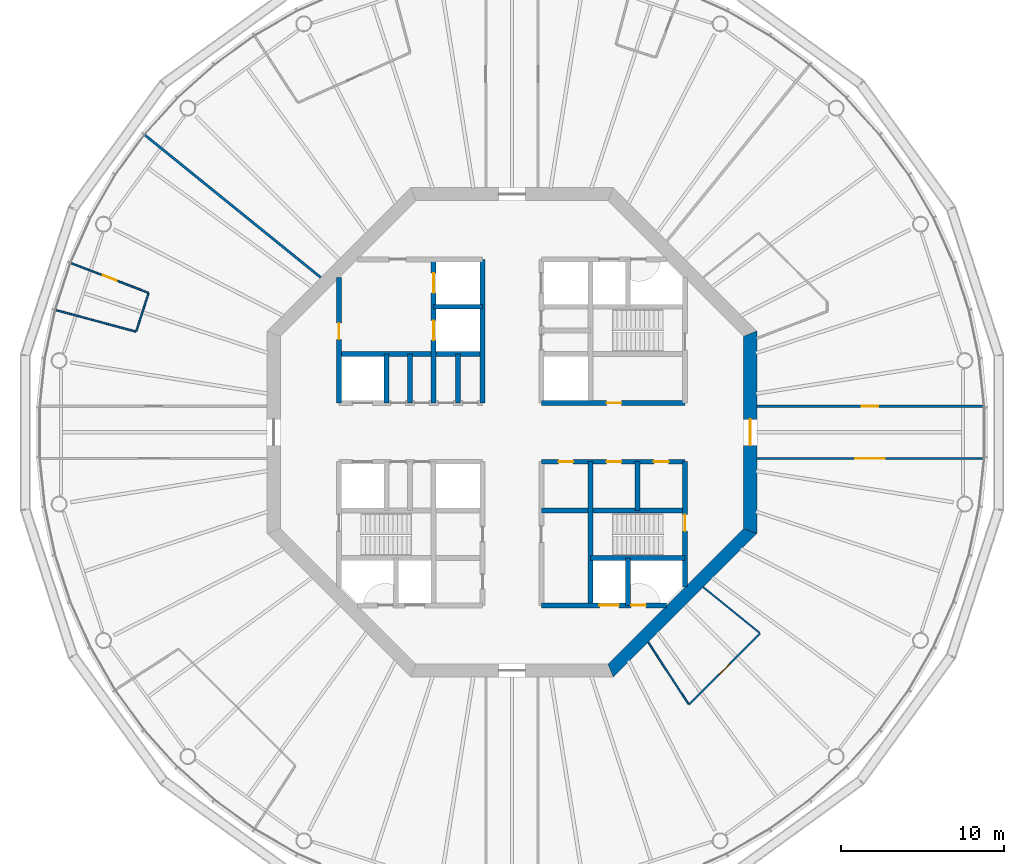
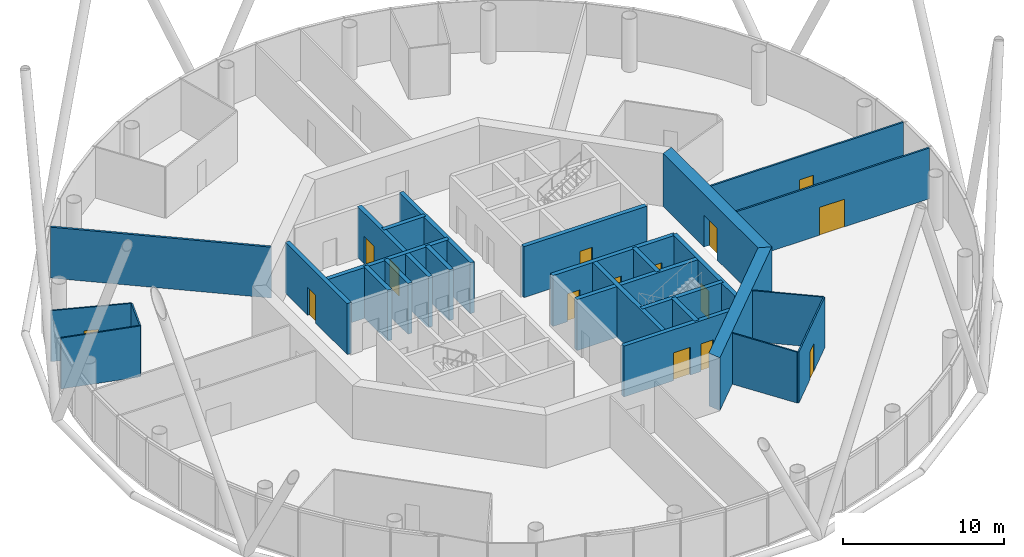
# One storey, part 4 of 13: 28 walls, 15 doors, 15 openings.
"""IFC4 building model written with IfcOpenShell, lengths in metres."""

from ifc_helpers import new_model, si_unit, direction, frame, frame_2d, origin, place, context, subcontext, project, spatial, polyline, rectangle, outline, extrude, material, layer, layer_set, type_object, element, fill, save


model = new_model("IFC4")

# Units and contexts
model_context = context("Model", 3, precision=1e-05, world=origin(), true_north=direction((0.0, 1.0)))
body_context = subcontext(model_context, "Body", "Model", "MODEL_VIEW")
ifc_project = project(units=[si_unit("LENGTHUNIT", "METRE"), si_unit("AREAUNIT", "SQUARE_METRE"), si_unit("VOLUMEUNIT", "CUBIC_METRE"), si_unit("PLANEANGLEUNIT", "RADIAN"), si_unit("MASSUNIT", "GRAM", prefix="KILO")], contexts=[model_context])

# Site, building, storey
site_placement = place(None, origin())
site = spatial("IfcSite", under=ifc_project, at=site_placement, CompositionType="ELEMENT")
building_placement = place(site_placement, origin())
building = spatial("IfcBuilding", under=site, at=building_placement, Name="Entoto Ring Tower", CompositionType="ELEMENT")
storey_placement = place(building_placement, frame((0.0, 0.0, 274.0)))
storey = spatial("IfcBuildingStorey", under=building, at=storey_placement, Name="L62", CompositionType="ELEMENT", Elevation=274.0)

# Wall, opening, door
ifc_material_1 = material(Name="Concrete C40/50", Category="concrete")
ifc_layer_1 = layer(ifc_material_1, 0.300048828125)
ifc_layer_set_1 = layer_set([ifc_layer_1], Name="Concrete C40/50")
wall_type_1 = type_object("IfcWallType", Name="Core enclosure wall 300 mm reinforced concrete", PredefinedType="SOLIDWALL", material=ifc_layer_set_1)
wall_1_placement = place(storey_placement, frame((100.60009765625, 70.518310546875, 0.0), z_axis=(0.0, 0.0, 1.0), x_axis=(0.0, 1.0, 0.0)))
wall_1 = element("IfcWall", 1, at=wall_1_placement, inside=storey, type_object=wall_type_1, Name="wall-L62-001", PredefinedType="SOLIDWALL", context=body_context, shape_type="SweptSolid", body=[
    extrude(rectangle(XDim=7.681640625, YDim=0.300048828125, at=frame_2d((3.8408203125, 0.0))), origin(), (0.0, 0.0, 1.0), 3.85009765625),
])
opening_1_placement = place(wall_1_placement, frame((3.431884765625, 0.0, 0.0)))
opening_1 = element("IfcOpeningElement", 2, at=opening_1_placement, cuts=wall_1, Name="Opening K-28", PredefinedType="OPENING", context=body_context, shape_type="SweptSolid", body=[
    extrude(rectangle(XDim=1.0, YDim=2.10009765625, at=frame_2d((0.5, 1.050048828125))), frame((0.0, 0.16015625, 0.0), z_axis=(0.0, -1.0, 0.0), x_axis=(1.0, 0.0, 0.0)), (0.0, 0.0, 1.0), 0.320068359375),
])
ifc_material_2 = material(Name="Steel door leaf, fire rated", Category="steel")
ifc_layer_2 = layer(ifc_material_2, 0.050048828125)
ifc_layer_set_2 = layer_set([ifc_layer_2], Name="Steel door leaf, fire rated")
door_type_1 = type_object("IfcDoorType", Name="Fire door FD60 1000 x 2100 single leaf", OperationType="NOTDEFINED", PredefinedType="DOOR", material=ifc_layer_set_2)
door_1_placement = place(opening_1_placement, origin())
door_1 = element("IfcDoor", 3, at=door_1_placement, inside=storey, type_object=door_type_1, Name="Door K-28", OperationType="SINGLE_SWING_RIGHT", OverallHeight=2.10009765625, OverallWidth=1.0, PredefinedType="DOOR", context=body_context, shape_type="SweptSolid", body=[
    extrude(rectangle(XDim=1.0, YDim=2.10009765625, at=frame_2d((0.5, 1.050048828125))), frame((0.0, 0.02490234375, 0.0), z_axis=(0.0, -1.0, 0.0), x_axis=(1.0, 0.0, 0.0)), (0.0, 0.0, 1.0), 0.050048828125),
])
fill(opening_1, door_1)

# Walls
wall_2_placement = place(storey_placement, frame((97.699951171875, 75.199951171875, 0.0), z_axis=(0.0, 0.0, 1.0), x_axis=(0.0, 1.0, 0.0)))
element("IfcWall", 4, at=wall_2_placement, inside=storey, type_object=wall_type_1, Name="wall-L62-003", PredefinedType="SOLIDWALL", context=body_context, shape_type="SweptSolid", body=[
    extrude(rectangle(XDim=3.0, YDim=0.300048828125, at=frame_2d((1.5, 0.0))), origin(), (0.0, 0.0, 1.0), 3.85009765625),
])
wall_3_placement = place(storey_placement, frame((97.10009765625, 69.39990234375, 0.0), z_axis=(0.0, 0.0, 1.0), x_axis=(0.0, 1.0, 0.0)))
element("IfcWall", 5, at=wall_3_placement, inside=storey, type_object=wall_type_1, Name="wall-L62-004", PredefinedType="SOLIDWALL", context=body_context, shape_type="SweptSolid", body=[
    extrude(rectangle(XDim=2.900146484375, YDim=0.300048828125, at=frame_2d((1.4501953125, 0.0))), origin(), (0.0, 0.0, 1.0), 3.85009765625),
])
for number, where, z_axis, x_axis, name in (
    (6, (94.800048828125, 69.39990234375, 0.0), (0.0, 0.0, 1.0), (0.0, 1.0, 0.0), "wall-L62-006"),
    (7, (88.199951171875, 81.800048828125, 0.0), (0.0, 0.0, 1.0), (0.0, 1.0, 0.0), "wall-L62-011"),
):
    element("IfcWall", number, at=place(storey_placement, frame(where, z_axis=z_axis, x_axis=x_axis)), inside=storey, type_object=wall_type_1, Name=name, PredefinedType="SOLIDWALL", context=body_context, shape_type="SweptSolid", body=[
        extrude(rectangle(XDim=8.800048828125, YDim=0.300048828125, at=frame_2d((4.39990234375, 0.0))), origin(), (0.0, 0.0, 1.0), 3.85009765625),
    ])
wall_4_placement = place(storey_placement, frame((86.699951171875, 81.800048828125, 0.0), z_axis=(0.0, 0.0, 1.0), x_axis=(0.0, 1.0, 0.0)))
element("IfcWall", 8, at=wall_4_placement, inside=storey, type_object=wall_type_1, Name="wall-L62-012", PredefinedType="SOLIDWALL", context=body_context, shape_type="SweptSolid", body=[
    extrude(rectangle(XDim=3.0, YDim=0.300048828125, at=frame_2d((1.5, 0.0))), origin(), (0.0, 0.0, 1.0), 3.85009765625),
])

# Wall, openings, doors
wall_5_placement = place(storey_placement, frame((85.199951171875, 81.800048828125, 0.0), z_axis=(0.0, 0.0, 1.0), x_axis=(0.0, 1.0, 0.0)))
wall_5 = element("IfcWall", 9, at=wall_5_placement, inside=storey, type_object=wall_type_1, Name="wall-L62-014", PredefinedType="SOLIDWALL", context=body_context, shape_type="SweptSolid", body=[
    extrude(rectangle(XDim=8.800048828125, YDim=0.300048828125, at=frame_2d((4.39990234375, 0.0))), origin(), (0.0, 0.0, 1.0), 3.85009765625),
])
opening_2_placement = place(wall_5_placement, frame((3.85009765625, 0.0, 0.0)))
opening_2 = element("IfcOpeningElement", 10, at=opening_2_placement, cuts=wall_5, Name="Opening LD", PredefinedType="OPENING", context=body_context, shape_type="SweptSolid", body=[
    extrude(rectangle(XDim=1.199951171875, YDim=2.10009765625, at=frame_2d((0.60009765625, 1.050048828125))), frame((0.0, 0.16015625, 0.0), z_axis=(0.0, -1.0, 0.0), x_axis=(1.0, 0.0, 0.0)), (0.0, 0.0, 1.0), 0.320068359375),
])
opening_3_placement = place(wall_5_placement, frame((6.75, 0.0, 0.0)))
opening_3 = element("IfcOpeningElement", 11, at=opening_3_placement, cuts=wall_5, Name="Opening LD", PredefinedType="OPENING", context=body_context, shape_type="SweptSolid", body=[
    extrude(rectangle(XDim=1.199951171875, YDim=2.10009765625, at=frame_2d((0.60009765625, 1.050048828125))), frame((0.0, 0.16015625, 0.0), z_axis=(0.0, -1.0, 0.0), x_axis=(1.0, 0.0, 0.0)), (0.0, 0.0, 1.0), 0.320068359375),
])
ifc_material_3 = material(Name="Steel and glass door leaf", Category="steel")
ifc_layer_3 = layer(ifc_material_3, 0.050048828125)
ifc_layer_set_3 = layer_set([ifc_layer_3], Name="Steel and glass door leaf")
door_type_2 = type_object("IfcDoorType", Name="Landing door 1200 x 2100 sliding", OperationType="DOUBLE_DOOR_SLIDING", PredefinedType="DOOR", material=ifc_layer_set_3)
door_2_placement = place(opening_2_placement, origin())
door_2 = element("IfcDoor", 12, at=door_2_placement, inside=storey, type_object=door_type_2, Name="Landing door FF1", OperationType="SLIDING_TO_RIGHT", OverallHeight=2.10009765625, OverallWidth=1.199951171875, PredefinedType="DOOR", context=body_context, shape_type="SweptSolid", body=[
    extrude(rectangle(XDim=1.199951171875, YDim=2.10009765625, at=frame_2d((0.60009765625, 1.050048828125))), frame((0.0, 0.02490234375, 0.0), z_axis=(0.0, -1.0, 0.0), x_axis=(1.0, 0.0, 0.0)), (0.0, 0.0, 1.0), 0.050048828125),
])
fill(opening_2, door_2)
door_3_placement = place(opening_3_placement, origin())
door_3 = element("IfcDoor", 13, at=door_3_placement, inside=storey, type_object=door_type_2, Name="Landing door FF2", OperationType="SLIDING_TO_RIGHT", OverallHeight=2.10009765625, OverallWidth=1.199951171875, PredefinedType="DOOR", context=body_context, shape_type="SweptSolid", body=[
    extrude(rectangle(XDim=1.199951171875, YDim=2.10009765625, at=frame_2d((0.60009765625, 1.050048828125))), frame((0.0, 0.02490234375, 0.0), z_axis=(0.0, -1.0, 0.0), x_axis=(1.0, 0.0, 0.0)), (0.0, 0.0, 1.0), 0.050048828125),
])
fill(opening_3, door_3)

# Walls
for number, where, z_axis, x_axis, name in (
    (14, (83.75, 81.800048828125, 0.0), (0.0, 0.0, 1.0), (0.0, 1.0, 0.0), "wall-L62-016"),
    (15, (82.300048828125, 81.800048828125, 0.0), (0.0, 0.0, 1.0), (0.0, 1.0, 0.0), "wall-L62-019"),
):
    element("IfcWall", number, at=place(storey_placement, frame(where, z_axis=z_axis, x_axis=x_axis)), inside=storey, type_object=wall_type_1, Name=name, PredefinedType="SOLIDWALL", context=body_context, shape_type="SweptSolid", body=[
        extrude(rectangle(XDim=3.0, YDim=0.300048828125, at=frame_2d((1.5, 0.0))), origin(), (0.0, 0.0, 1.0), 3.85009765625),
    ])

# Wall, opening, door
wall_6_placement = place(storey_placement, frame((79.39990234375, 81.800048828125, 0.0), z_axis=(0.0, 0.0, 1.0), x_axis=(0.0, 1.0, 0.0)))
wall_6 = element("IfcWall", 16, at=wall_6_placement, inside=storey, type_object=wall_type_1, Name="wall-L62-021", PredefinedType="SOLIDWALL", context=body_context, shape_type="SweptSolid", body=[
    extrude(rectangle(XDim=7.681640625, YDim=0.300048828125, at=frame_2d((3.8408203125, 0.0))), origin(), (0.0, 0.0, 1.0), 3.85009765625),
])
opening_4_placement = place(wall_6_placement, frame((3.89990234375, 0.0, 0.0)))
opening_4 = element("IfcOpeningElement", 17, at=opening_4_placement, cuts=wall_6, Name="Opening K-86", PredefinedType="OPENING", context=body_context, shape_type="SweptSolid", body=[
    extrude(rectangle(XDim=1.0, YDim=2.10009765625, at=frame_2d((0.5, 1.050048828125))), frame((0.0, 0.16015625, 0.0), z_axis=(0.0, -1.0, 0.0), x_axis=(1.0, 0.0, 0.0)), (0.0, 0.0, 1.0), 0.320068359375),
])
door_4_placement = place(opening_4_placement, frame((1.0, 0.0, 0.0), z_axis=(0.0, 0.0, 1.0), x_axis=(-1.0, 0.0, 0.0)))
door_4 = element("IfcDoor", 18, at=door_4_placement, inside=storey, type_object=door_type_1, Name="Door K-86", OperationType="SINGLE_SWING_RIGHT", OverallHeight=2.10009765625, OverallWidth=1.0, PredefinedType="DOOR", context=body_context, shape_type="SweptSolid", body=[
    extrude(rectangle(XDim=1.0, YDim=2.10009765625, at=frame_2d((0.5, 1.050048828125))), frame((0.0, 0.02490234375, 0.0), z_axis=(0.0, -1.0, 0.0), x_axis=(1.0, 0.0, 0.0)), (0.0, 0.0, 1.0), 0.050048828125),
])
fill(opening_4, door_4)

# Wall, openings, doors
wall_7_placement = place(storey_placement, frame((91.800048828125, 69.39990234375, 0.0), z_axis=(0.0, 0.0, 1.0), x_axis=(1.0, 0.0, 0.0)))
wall_7 = element("IfcWall", 19, at=wall_7_placement, inside=storey, type_object=wall_type_1, Name="wall-L62-023", PredefinedType="SOLIDWALL", context=body_context, shape_type="SweptSolid", body=[
    extrude(rectangle(XDim=7.681640625, YDim=0.300048828125, at=frame_2d((3.8408203125, 0.0))), origin(), (0.0, 0.0, 1.0), 3.85009765625),
])
opening_5_placement = place(wall_7_placement, frame((3.550048828125, 0.0, 0.0)))
opening_5 = element("IfcOpeningElement", 20, at=opening_5_placement, cuts=wall_7, Name="Opening LD", PredefinedType="OPENING", context=body_context, shape_type="SweptSolid", body=[
    extrude(rectangle(XDim=1.199951171875, YDim=2.10009765625, at=frame_2d((0.60009765625, 1.050048828125))), frame((0.0, 0.16015625, 0.0), z_axis=(0.0, -1.0, 0.0), x_axis=(1.0, 0.0, 0.0)), (0.0, 0.0, 1.0), 0.320068359375),
])
opening_6_placement = place(wall_7_placement, frame((5.5, 0.0, 0.0)))
opening_6 = element("IfcOpeningElement", 21, at=opening_6_placement, cuts=wall_7, Name="Opening K-85", PredefinedType="OPENING", context=body_context, shape_type="SweptSolid", body=[
    extrude(rectangle(XDim=0.89990234375, YDim=2.10009765625, at=frame_2d((0.449951171875, 1.050048828125))), frame((0.0, 0.16015625, 0.0), z_axis=(0.0, -1.0, 0.0), x_axis=(1.0, 0.0, 0.0)), (0.0, 0.0, 1.0), 0.320068359375),
])
door_5_placement = place(opening_5_placement, origin())
door_5 = element("IfcDoor", 22, at=door_5_placement, inside=storey, type_object=door_type_2, Name="Landing door LB2-HR", OperationType="SLIDING_TO_RIGHT", OverallHeight=2.10009765625, OverallWidth=1.199951171875, PredefinedType="DOOR", context=body_context, shape_type="SweptSolid", body=[
    extrude(rectangle(XDim=1.199951171875, YDim=2.10009765625, at=frame_2d((0.60009765625, 1.050048828125))), frame((0.0, 0.02490234375, 0.0), z_axis=(0.0, -1.0, 0.0), x_axis=(1.0, 0.0, 0.0)), (0.0, 0.0, 1.0), 0.050048828125),
])
fill(opening_5, door_5)
ifc_material_4 = material(Name="Steel door leaf, fire rated", Category="steel")
ifc_layer_4 = layer(ifc_material_4, 0.050048828125)
ifc_layer_set_4 = layer_set([ifc_layer_4], Name="Steel door leaf, fire rated")
door_type_3 = type_object("IfcDoorType", Name="Riser door FD60 900 x 2100 single leaf", OperationType="NOTDEFINED", PredefinedType="DOOR", material=ifc_layer_set_4)
door_6_placement = place(opening_6_placement, origin())
door_6 = element("IfcDoor", 23, at=door_6_placement, inside=storey, type_object=door_type_3, Name="Door K-85", OperationType="SINGLE_SWING_LEFT", OverallHeight=2.10009765625, OverallWidth=0.89990234375, PredefinedType="DOOR", context=body_context, shape_type="SweptSolid", body=[
    extrude(rectangle(XDim=0.89990234375, YDim=2.10009765625, at=frame_2d((0.449951171875, 1.050048828125))), frame((0.0, 0.02490234375, 0.0), z_axis=(0.0, -1.0, 0.0), x_axis=(1.0, 0.0, 0.0)), (0.0, 0.0, 1.0), 0.050048828125),
])
fill(opening_6, door_6)

# Walls
wall_8_placement = place(storey_placement, frame((94.800048828125, 72.300048828125, 0.0), z_axis=(0.0, 0.0, 1.0), x_axis=(1.0, 0.0, 0.0)))
element("IfcWall", 24, at=wall_8_placement, inside=storey, type_object=wall_type_1, Name="wall-L62-025", PredefinedType="SOLIDWALL", context=body_context, shape_type="SweptSolid", body=[
    extrude(rectangle(XDim=5.800048828125, YDim=0.300048828125, at=frame_2d((2.89990234375, 0.0))), origin(), (0.0, 0.0, 1.0), 3.85009765625),
])
wall_9_placement = place(storey_placement, frame((91.800048828125, 75.199951171875, 0.0), z_axis=(0.0, 0.0, 1.0), x_axis=(1.0, 0.0, 0.0)))
element("IfcWall", 25, at=wall_9_placement, inside=storey, type_object=wall_type_1, Name="wall-L62-027", PredefinedType="SOLIDWALL", context=body_context, shape_type="SweptSolid", body=[
    extrude(rectangle(XDim=8.800048828125, YDim=0.300048828125, at=frame_2d((4.39990234375, 0.0))), origin(), (0.0, 0.0, 1.0), 3.85009765625),
])

# Wall, openings, doors
wall_10_placement = place(storey_placement, frame((91.800048828125, 78.199951171875, 0.0), z_axis=(0.0, 0.0, 1.0), x_axis=(1.0, 0.0, 0.0)))
wall_10 = element("IfcWall", 26, at=wall_10_placement, inside=storey, type_object=wall_type_1, Name="wall-L62-029", PredefinedType="SOLIDWALL", context=body_context, shape_type="SweptSolid", body=[
    extrude(rectangle(XDim=8.800048828125, YDim=0.300048828125, at=frame_2d((4.39990234375, 0.0))), origin(), (0.0, 0.0, 1.0), 3.85009765625),
])
opening_7_placement = place(wall_10_placement, frame((4.0, 0.0, 0.0)))
opening_7 = element("IfcOpeningElement", 27, at=opening_7_placement, cuts=wall_10, Name="Opening K-14", PredefinedType="OPENING", context=body_context, shape_type="SweptSolid", body=[
    extrude(rectangle(XDim=0.89990234375, YDim=2.10009765625, at=frame_2d((0.449951171875, 1.050048828125))), frame((0.0, 0.16015625, 0.0), z_axis=(0.0, -1.0, 0.0), x_axis=(1.0, 0.0, 0.0)), (0.0, 0.0, 1.0), 0.320068359375),
])
opening_8_placement = place(wall_10_placement, frame((6.89990234375, 0.0, 0.0)))
opening_8 = element("IfcOpeningElement", 28, at=opening_8_placement, cuts=wall_10, Name="Opening K-15", PredefinedType="OPENING", context=body_context, shape_type="SweptSolid", body=[
    extrude(rectangle(XDim=0.89990234375, YDim=2.10009765625, at=frame_2d((0.449951171875, 1.050048828125))), frame((0.0, 0.16015625, 0.0), z_axis=(0.0, -1.0, 0.0), x_axis=(1.0, 0.0, 0.0)), (0.0, 0.0, 1.0), 0.320068359375),
])
opening_9_placement = place(wall_10_placement, frame((1.050048828125, 0.0, 0.0)))
opening_9 = element("IfcOpeningElement", 29, at=opening_9_placement, cuts=wall_10, Name="Opening K-25", PredefinedType="OPENING", context=body_context, shape_type="SweptSolid", body=[
    extrude(rectangle(XDim=0.89990234375, YDim=2.10009765625, at=frame_2d((0.449951171875, 1.050048828125))), frame((0.0, 0.16015625, 0.0), z_axis=(0.0, -1.0, 0.0), x_axis=(1.0, 0.0, 0.0)), (0.0, 0.0, 1.0), 0.320068359375),
])
ifc_material_5 = material(Name="Steel door leaf, fire rated", Category="steel")
ifc_layer_5 = layer(ifc_material_5, 0.050048828125)
ifc_layer_set_5 = layer_set([ifc_layer_5], Name="Steel door leaf, fire rated")
door_type_4 = type_object("IfcDoorType", Name="Core door 900 x 2100 single leaf", OperationType="NOTDEFINED", PredefinedType="DOOR", material=ifc_layer_set_5)
door_7_placement = place(opening_7_placement, frame((0.89990234375, 0.0, 0.0), z_axis=(0.0, 0.0, 1.0), x_axis=(-1.0, 0.0, 0.0)))
door_7 = element("IfcDoor", 30, at=door_7_placement, inside=storey, type_object=door_type_4, Name="Door K-14", OperationType="SINGLE_SWING_RIGHT", OverallHeight=2.10009765625, OverallWidth=0.89990234375, PredefinedType="DOOR", context=body_context, shape_type="SweptSolid", body=[
    extrude(rectangle(XDim=0.89990234375, YDim=2.10009765625, at=frame_2d((0.449951171875, 1.050048828125))), frame((0.0, 0.02490234375, 0.0), z_axis=(0.0, -1.0, 0.0), x_axis=(1.0, 0.0, 0.0)), (0.0, 0.0, 1.0), 0.050048828125),
])
fill(opening_7, door_7)
door_8_placement = place(opening_8_placement, frame((0.89990234375, 0.0, 0.0), z_axis=(0.0, 0.0, 1.0), x_axis=(-1.0, 0.0, 0.0)))
door_8 = element("IfcDoor", 31, at=door_8_placement, inside=storey, type_object=door_type_4, Name="Door K-15", OperationType="SINGLE_SWING_LEFT", OverallHeight=2.10009765625, OverallWidth=0.89990234375, PredefinedType="DOOR", context=body_context, shape_type="SweptSolid", body=[
    extrude(rectangle(XDim=0.89990234375, YDim=2.10009765625, at=frame_2d((0.449951171875, 1.050048828125))), frame((0.0, 0.02490234375, 0.0), z_axis=(0.0, -1.0, 0.0), x_axis=(1.0, 0.0, 0.0)), (0.0, 0.0, 1.0), 0.050048828125),
])
fill(opening_8, door_8)
door_9_placement = place(opening_9_placement, frame((0.89990234375, 0.0, 0.0), z_axis=(0.0, 0.0, 1.0), x_axis=(-1.0, 0.0, 0.0)))
door_9 = element("IfcDoor", 32, at=door_9_placement, inside=storey, type_object=door_type_4, Name="Door K-25", OperationType="SINGLE_SWING_RIGHT", OverallHeight=2.10009765625, OverallWidth=0.89990234375, PredefinedType="DOOR", context=body_context, shape_type="SweptSolid", body=[
    extrude(rectangle(XDim=0.89990234375, YDim=2.10009765625, at=frame_2d((0.449951171875, 1.050048828125))), frame((0.0, 0.02490234375, 0.0), z_axis=(0.0, -1.0, 0.0), x_axis=(1.0, 0.0, 0.0)), (0.0, 0.0, 1.0), 0.050048828125),
])
fill(opening_9, door_9)

# Wall, opening, door
wall_11_placement = place(storey_placement, frame((91.800048828125, 81.800048828125, 0.0), z_axis=(0.0, 0.0, 1.0), x_axis=(1.0, 0.0, 0.0)))
wall_11 = element("IfcWall", 33, at=wall_11_placement, inside=storey, type_object=wall_type_1, Name="wall-L62-031", PredefinedType="SOLIDWALL", context=body_context, shape_type="SweptSolid", body=[
    extrude(rectangle(XDim=8.800048828125, YDim=0.300048828125, at=frame_2d((4.39990234375, 0.0))), origin(), (0.0, 0.0, 1.0), 3.85009765625),
])
opening_10_placement = place(wall_11_placement, frame((4.0, 0.0, 0.0)))
opening_10 = element("IfcOpeningElement", 34, at=opening_10_placement, cuts=wall_11, Name="Opening K-11", PredefinedType="OPENING", context=body_context, shape_type="SweptSolid", body=[
    extrude(rectangle(XDim=0.89990234375, YDim=2.10009765625, at=frame_2d((0.449951171875, 1.050048828125))), frame((0.0, 0.16015625, 0.0), z_axis=(0.0, -1.0, 0.0), x_axis=(1.0, 0.0, 0.0)), (0.0, 0.0, 1.0), 0.320068359375),
])
door_10_placement = place(opening_10_placement, origin())
door_10 = element("IfcDoor", 35, at=door_10_placement, inside=storey, type_object=door_type_4, Name="Door K-11", OperationType="SINGLE_SWING_LEFT", OverallHeight=2.10009765625, OverallWidth=0.89990234375, PredefinedType="DOOR", context=body_context, shape_type="SweptSolid", body=[
    extrude(rectangle(XDim=0.89990234375, YDim=2.10009765625, at=frame_2d((0.449951171875, 1.050048828125))), frame((0.0, 0.02490234375, 0.0), z_axis=(0.0, -1.0, 0.0), x_axis=(1.0, 0.0, 0.0)), (0.0, 0.0, 1.0), 0.050048828125),
])
fill(opening_10, door_10)

# Walls
wall_12_placement = place(storey_placement, frame((79.39990234375, 84.800048828125, 0.0), z_axis=(0.0, 0.0, 1.0), x_axis=(1.0, 0.0, 0.0)))
element("IfcWall", 36, at=wall_12_placement, inside=storey, type_object=wall_type_1, Name="wall-L62-032", PredefinedType="SOLIDWALL", context=body_context, shape_type="SweptSolid", body=[
    extrude(rectangle(XDim=8.800048828125, YDim=0.300048828125, at=frame_2d((4.39990234375, 0.0))), origin(), (0.0, 0.0, 1.0), 3.85009765625),
])
wall_13_placement = place(storey_placement, frame((85.199951171875, 87.699951171875, 0.0), z_axis=(0.0, 0.0, 1.0), x_axis=(1.0, 0.0, 0.0)))
element("IfcWall", 37, at=wall_13_placement, inside=storey, type_object=wall_type_1, Name="wall-L62-035", PredefinedType="SOLIDWALL", context=body_context, shape_type="SweptSolid", body=[
    extrude(rectangle(XDim=3.0, YDim=0.300048828125, at=frame_2d((1.5, 0.0))), origin(), (0.0, 0.0, 1.0), 3.85009765625),
])

# Wall, opening, door
ifc_material_6 = material(Name="Concrete C40/50", Category="concrete")
ifc_layer_6 = layer(ifc_material_6, 0.800048828125)
ifc_layer_set_6 = layer_set([ifc_layer_6], Name="Concrete C40/50")
wall_type_2 = type_object("IfcWallType", Name="Core shear wall 800 mm reinforced concrete C40/50", PredefinedType="SHEAR", material=ifc_layer_set_6)
wall_14_placement = place(storey_placement, frame((104.60009765625, 73.952392578125, 0.0), z_axis=(0.0, 0.0, 1.0), x_axis=(0.0, 1.0, 0.0)))
wall_14 = element("IfcWall", 38, at=wall_14_placement, inside=storey, type_object=wall_type_2, Name="wall-L62-core-0", PredefinedType="SHEAR", context=body_context, shape_type="SweptSolid", body=[
    extrude(outline(polyline([(-0.165771484375, -0.39990234375), (12.260986328125, -0.39990234375), (11.929443359375, 0.39990234375), (0.165771484375, 0.39990234375), (-0.165771484375, -0.39990234375)])), origin(), (0.0, 0.0, 1.0), 4.0),
])
opening_11_placement = place(wall_14_placement, frame((5.24755859375, 0.0, 0.0)))
opening_11 = element("IfcOpeningElement", 39, at=opening_11_placement, cuts=wall_14, Name="Opening K-01", PredefinedType="OPENING", context=body_context, shape_type="SweptSolid", body=[
    extrude(rectangle(XDim=1.60009765625, YDim=2.39990234375, at=frame_2d((0.800048828125, 1.199951171875))), frame((0.0, 0.41015625, 0.0), z_axis=(0.0, -1.0, 0.0), x_axis=(1.0, 0.0, 0.0)), (0.0, 0.0, 1.0), 0.820068359375),
])
ifc_material_7 = material(Name="Steel door leaf, fire rated", Category="steel")
ifc_layer_7 = layer(ifc_material_7, 0.050048828125)
ifc_layer_set_7 = layer_set([ifc_layer_7], Name="Steel door leaf, fire rated")
door_type_5 = type_object("IfcDoorType", Name="Entrance door FD60 1600 x 2400 double leaf", OperationType="DOUBLE_DOOR_SINGLE_SWING", PredefinedType="DOOR", material=ifc_layer_set_7)
door_11_placement = place(opening_11_placement, origin())
door_11 = element("IfcDoor", 40, at=door_11_placement, inside=storey, type_object=door_type_5, Name="Entrance door K-01", OperationType="DOUBLE_DOOR_SINGLE_SWING", OverallHeight=2.39990234375, OverallWidth=1.60009765625, PredefinedType="DOOR", context=body_context, shape_type="SweptSolid", body=[
    extrude(rectangle(XDim=1.60009765625, YDim=2.39990234375, at=frame_2d((0.800048828125, 1.199951171875))), frame((0.0, 0.02490234375, 0.0), z_axis=(0.0, -1.0, 0.0), x_axis=(1.0, 0.0, 0.0)), (0.0, 0.0, 1.0), 0.050048828125),
])
fill(opening_11, door_11)

# Wall
wall_15_placement = place(storey_placement, frame((96.047607421875, 65.39990234375, 0.0), z_axis=(0.0, 0.0, 1.0), x_axis=(0.707106781187, 0.707106781187, 0.0)))
element("IfcWall", 41, at=wall_15_placement, inside=storey, type_object=wall_type_2, Name="wall-L62-core-7", PredefinedType="SHEAR", context=body_context, shape_type="SweptSolid", body=[
    extrude(outline(polyline([(-0.165771484375, -0.39990234375), (12.2607421875, -0.39990234375), (11.92919921875, 0.39990234375), (0.165771484375, 0.39990234375), (-0.165771484375, -0.39990234375)])), origin(), (0.0, 0.0, 1.0), 4.0),
])

# Wall, opening, door
ifc_material_8 = material(Name="Fire-resisting plasterboard on steel studs", Category="steel")
ifc_layer_8 = layer(ifc_material_8, 0.125)
ifc_layer_set_8 = layer_set([ifc_layer_8], Name="Fire-resisting plasterboard on steel studs")
wall_type_3 = type_object("IfcWallType", Name="Corridor wall 125 mm one-hour plasterboard on steel studs", PredefinedType="PARTITIONING", material=ifc_layer_set_8)
wall_16_placement = place(storey_placement, frame((105.0, 78.39990234375, 0.0), z_axis=(0.0, 0.0, 1.0), x_axis=(1.0, 0.0, 0.0)))
wall_16 = element("IfcWall", 42, at=wall_16_placement, inside=storey, type_object=wall_type_3, Name="partition-L62-007", PredefinedType="PARTITIONING", context=body_context, shape_type="SweptSolid", body=[
    extrude(rectangle(XDim=13.891357421875, YDim=0.125, at=frame_2d((6.94580078125, 0.0))), origin(), (0.0, 0.0, 1.0), 3.85009765625),
])
opening_12_placement = place(wall_16_placement, frame((6.045654296875, 0.0, 0.0)))
opening_12 = element("IfcOpeningElement", 43, at=opening_12_placement, cuts=wall_16, Name="Opening A28-D11", PredefinedType="OPENING", context=body_context, shape_type="SweptSolid", body=[
    extrude(rectangle(XDim=1.800048828125, YDim=2.10009765625, at=frame_2d((0.89990234375, 1.050048828125))), frame((0.0, 0.072509765625, 0.0), z_axis=(0.0, -1.0, 0.0), x_axis=(1.0, 0.0, 0.0)), (0.0, 0.0, 1.0), 0.14501953125),
])
ifc_material_9 = material(Name="Fire-resisting timber door set", Category="wood")
door_type_6 = type_object("IfcDoorType", Name="Door 1800 x 2100 double leaf FD30S fire door", OperationType="DOUBLE_DOOR_SINGLE_SWING", PredefinedType="DOOR", material=ifc_material_9)
door_12_placement = place(opening_12_placement, frame((1.800048828125, 0.0, 0.0), z_axis=(0.0, 0.0, 1.0), x_axis=(-1.0, 0.0, 0.0)))
door_12 = element("IfcDoor", 44, at=door_12_placement, inside=storey, type_object=door_type_6, Name="Door A28-D11", OperationType="DOUBLE_DOOR_SINGLE_SWING", OverallHeight=2.10009765625, OverallWidth=1.800048828125, PredefinedType="DOOR", context=body_context, shape_type="SweptSolid", body=[
    extrude(rectangle(XDim=1.800048828125, YDim=2.10009765625, at=frame_2d((0.89990234375, 1.050048828125))), frame((0.0, 0.02490234375, 0.0), z_axis=(0.0, -1.0, 0.0), x_axis=(1.0, 0.0, 0.0)), (0.0, 0.0, 1.0), 0.050048828125),
])
fill(opening_12, door_12)

wall_17_placement = place(storey_placement, frame((105.0, 81.60009765625, 0.0), z_axis=(0.0, 0.0, 1.0), x_axis=(1.0, 0.0, 0.0)))
wall_17 = element("IfcWall", 45, at=wall_17_placement, inside=storey, type_object=wall_type_3, Name="partition-L62-008", PredefinedType="PARTITIONING", context=body_context, shape_type="SweptSolid", body=[
    extrude(rectangle(XDim=13.891357421875, YDim=0.125, at=frame_2d((6.94580078125, 0.0))), origin(), (0.0, 0.0, 1.0), 3.85009765625),
])
opening_13_placement = place(wall_17_placement, frame((6.44580078125, 0.0, 0.0)))
opening_13 = element("IfcOpeningElement", 46, at=opening_13_placement, cuts=wall_17, Name="Opening A28-D01", PredefinedType="OPENING", context=body_context, shape_type="SweptSolid", body=[
    extrude(rectangle(XDim=1.0, YDim=2.10009765625, at=frame_2d((0.5, 1.050048828125))), frame((0.0, 0.072509765625, 0.0), z_axis=(0.0, -1.0, 0.0), x_axis=(1.0, 0.0, 0.0)), (0.0, 0.0, 1.0), 0.14501953125),
])
ifc_material_10 = material(Name="Fire-resisting timber door set", Category="wood")
door_type_7 = type_object("IfcDoorType", Name="Door 1000 x 2100 single leaf FD30S fire door", OperationType="NOTDEFINED", PredefinedType="DOOR", material=ifc_material_10)
door_13_placement = place(opening_13_placement, origin())
door_13 = element("IfcDoor", 47, at=door_13_placement, inside=storey, type_object=door_type_7, Name="Door A28-D01", OperationType="SINGLE_SWING_RIGHT", OverallHeight=2.10009765625, OverallWidth=1.0, PredefinedType="DOOR", context=body_context, shape_type="SweptSolid", body=[
    extrude(rectangle(XDim=1.0, YDim=2.10009765625, at=frame_2d((0.5, 1.050048828125))), frame((0.0, 0.02490234375, 0.0), z_axis=(0.0, -1.0, 0.0), x_axis=(1.0, 0.0, 0.0)), (0.0, 0.0, 1.0), 0.050048828125),
])
fill(opening_13, door_13)

ifc_material_11 = material(Name="Plasterboard on steel studs", Category="steel")
ifc_layer_9 = layer(ifc_material_11, 0.10009765625)
ifc_layer_set_9 = layer_set([ifc_layer_9], Name="Plasterboard on steel studs")
wall_type_4 = type_object("IfcWallType", Name="Partition 100 mm plasterboard on steel studs", PredefinedType="PARTITIONING", material=ifc_layer_set_9)
wall_18_placement = place(storey_placement, frame((100.841064453125, 63.306396484375, 0.0), z_axis=(0.0, 0.0, 1.0), x_axis=(0.707106781187, 0.707106781187, 0.0)))
wall_18 = element("IfcWall", 48, at=wall_18_placement, inside=storey, type_object=wall_type_4, Name="partition-L62-013", PredefinedType="PARTITIONING", context=body_context, shape_type="SweptSolid", body=[
    extrude(rectangle(XDim=6.184814453125, YDim=0.10009765625, at=frame_2d((3.09228515625, 0.0))), origin(), (0.0, 0.0, 1.0), 3.85009765625),
])
opening_14_placement = place(wall_18_placement, frame((2.642333984375, 0.0, 0.0)))
opening_14 = element("IfcOpeningElement", 49, at=opening_14_placement, cuts=wall_18, Name="Opening A28-D12", PredefinedType="OPENING", context=body_context, shape_type="SweptSolid", body=[
    extrude(rectangle(XDim=0.89990234375, YDim=2.10009765625, at=frame_2d((0.449951171875, 1.050048828125))), frame((0.0, 0.06005859375, 0.0), z_axis=(0.0, -1.0, 0.0), x_axis=(1.0, 0.0, 0.0)), (0.0, 0.0, 1.0), 0.1201171875),
])
ifc_material_12 = material(Name="Veneered timber door leaf in timber frame", Category="wood")
door_type_8 = type_object("IfcDoorType", Name="Door 900 x 2100 single leaf timber veneer", OperationType="NOTDEFINED", PredefinedType="DOOR", material=ifc_material_12)
door_14_placement = place(opening_14_placement, origin())
door_14 = element("IfcDoor", 50, at=door_14_placement, inside=storey, type_object=door_type_8, Name="Door A28-D12", OperationType="SINGLE_SWING_LEFT", OverallHeight=2.10009765625, OverallWidth=0.89990234375, PredefinedType="DOOR", context=body_context, shape_type="SweptSolid", body=[
    extrude(rectangle(XDim=0.89990234375, YDim=2.10009765625, at=frame_2d((0.449951171875, 1.050048828125))), frame((0.0, 0.02490234375, 0.0), z_axis=(0.0, -1.0, 0.0), x_axis=(1.0, 0.0, 0.0)), (0.0, 0.0, 1.0), 0.050048828125),
])
fill(opening_14, door_14)

wall_19_placement = place(storey_placement, frame((67.734130859375, 88.547119140625, 0.0), z_axis=(0.0, 0.0, 1.0), x_axis=(-0.93358892458, 0.358345810498, 0.0)))
wall_19 = element("IfcWall", 51, at=wall_19_placement, inside=storey, type_object=wall_type_4, Name="partition-L62-015", PredefinedType="PARTITIONING", context=body_context, shape_type="SweptSolid", body=[
    extrude(rectangle(XDim=5.090087890625, YDim=0.10009765625, at=frame_2d((2.544921875, 0.0))), origin(), (0.0, 0.0, 1.0), 3.85009765625),
])
opening_15_placement = place(wall_19_placement, frame((2.094970703125, 0.0, 0.0)))
opening_15 = element("IfcOpeningElement", 52, at=opening_15_placement, cuts=wall_19, Name="Opening A28-D08", PredefinedType="OPENING", context=body_context, shape_type="SweptSolid", body=[
    extrude(rectangle(XDim=0.89990234375, YDim=2.10009765625, at=frame_2d((0.449951171875, 1.050048828125))), frame((0.0, 0.06005859375, 0.0), z_axis=(0.0, -1.0, 0.0), x_axis=(1.0, 0.0, 0.0)), (0.0, 0.0, 1.0), 0.1201171875),
])
door_15_placement = place(opening_15_placement, origin())
door_15 = element("IfcDoor", 53, at=door_15_placement, inside=storey, type_object=door_type_8, Name="Door A28-D08", OperationType="SINGLE_SWING_RIGHT", OverallHeight=2.10009765625, OverallWidth=0.89990234375, PredefinedType="DOOR", context=body_context, shape_type="SweptSolid", body=[
    extrude(rectangle(XDim=0.89990234375, YDim=2.10009765625, at=frame_2d((0.449951171875, 1.050048828125))), frame((0.0, 0.02490234375, 0.0), z_axis=(0.0, -1.0, 0.0), x_axis=(1.0, 0.0, 0.0)), (0.0, 0.0, 1.0), 0.050048828125),
])
fill(opening_15, door_15)

# Walls
wall_20_placement = place(storey_placement, frame((66.962646484375, 86.1728515625, 0.0), z_axis=(0.0, 0.0, 1.0), x_axis=(-0.965925356673, 0.258820797726, 0.0)))
element("IfcWall", 54, at=wall_20_placement, inside=storey, type_object=wall_type_4, Name="partition-L62-016", PredefinedType="PARTITIONING", context=body_context, shape_type="SweptSolid", body=[
    extrude(rectangle(XDim=5.08984375, YDim=0.10009765625, at=frame_2d((2.544921875, 0.0))), origin(), (0.0, 0.0, 1.0), 3.85009765625),
])
wall_21_placement = place(storey_placement, frame((100.8076171875, 63.35791015625, 0.0), z_axis=(0.0, 0.0, 1.0), x_axis=(-0.544662825307, 0.838655117869, 0.0)))
element("IfcWall", 55, at=wall_21_placement, inside=storey, type_object=wall_type_4, Name="partition-L62-022", PredefinedType="PARTITIONING", context=body_context, shape_type="SweptSolid", body=[
    extrude(rectangle(XDim=4.50830078125, YDim=0.10009765625, at=frame_2d((2.254150390625, 0.0))), origin(), (0.0, 0.0, 1.0), 3.85009765625),
])
wall_22_placement = place(storey_placement, frame((105.17138671875, 67.714599609375, 0.0), z_axis=(0.0, 0.0, 1.0), x_axis=(-0.77714752614, 0.629318458822, 0.0)))
element("IfcWall", 56, at=wall_22_placement, inside=storey, type_object=wall_type_4, Name="partition-L62-023", PredefinedType="PARTITIONING", context=body_context, shape_type="SweptSolid", body=[
    extrude(rectangle(XDim=4.439208984375, YDim=0.10009765625, at=frame_2d((2.2197265625, 0.0))), origin(), (0.0, 0.0, 1.0), 3.85009765625),
])
wall_23_placement = place(storey_placement, frame((66.97802734375, 86.22021484375, 0.0), z_axis=(0.0, 0.0, 1.0), x_axis=(0.309067645047, 0.951040057403, 0.0)))
element("IfcWall", 57, at=wall_23_placement, inside=storey, type_object=wall_type_4, Name="partition-L62-028", PredefinedType="PARTITIONING", context=body_context, shape_type="SweptSolid", body=[
    extrude(rectangle(XDim=2.396728515625, YDim=0.10009765625, at=frame_2d((1.1982421875, 0.0))), origin(), (0.0, 0.0, 1.0), 3.85009765625),
])
ifc_material_13 = material(Name="Fire-resisting acoustic plasterboard on steel studs", Category="steel")
ifc_layer_10 = layer(ifc_material_13, 0.14990234375)
ifc_layer_set_10 = layer_set([ifc_layer_10], Name="Fire-resisting acoustic plasterboard on steel studs")
wall_type_5 = type_object("IfcWallType", Name="Party wall 150 mm one-hour acoustic plasterboard on steel studs", PredefinedType="PARTITIONING", material=ifc_layer_set_10)
wall_24_placement = place(storey_placement, frame((78.278564453125, 89.49169921875, 0.0), z_axis=(0.0, 0.0, 1.0), x_axis=(-0.777142288207, 0.629324927109, 0.0)))
element("IfcWall", 58, at=wall_24_placement, inside=storey, type_object=wall_type_5, Name="partition-L62-009", PredefinedType="PARTITIONING", context=body_context, shape_type="SweptSolid", body=[
    extrude(rectangle(XDim=13.857177734375, YDim=0.14990234375, at=frame_2d((6.9287109375, 0.0))), origin(), (0.0, 0.0, 1.0), 3.85009765625),
])

save(model, "model.ifc")
